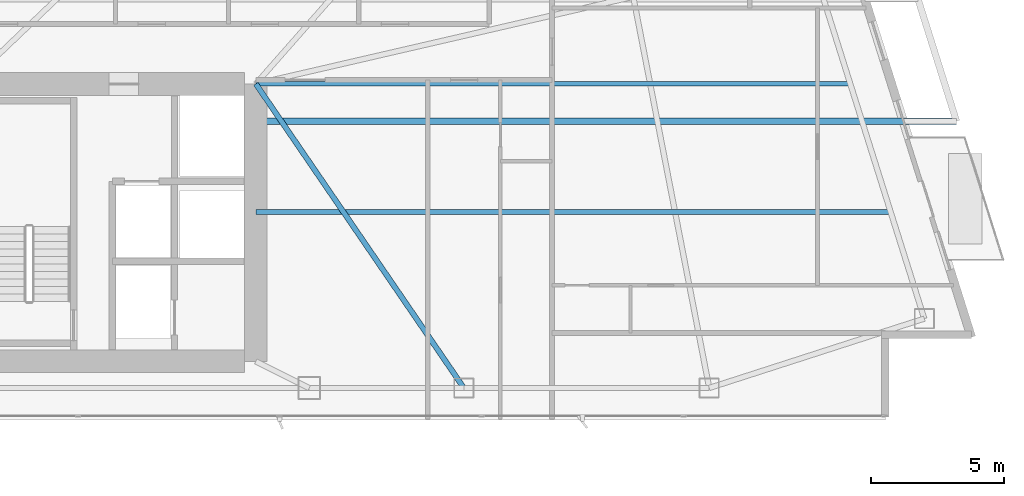
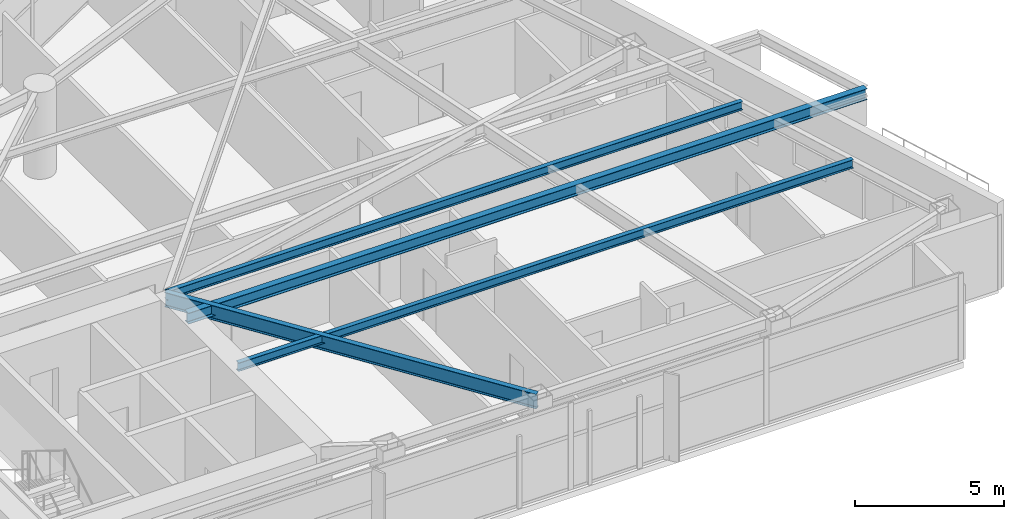
# One storey, part 13 of 29: 4 beams.
"""IFC4 building model written with IfcOpenShell, lengths in metres."""

from ifc_helpers import new_model, si_unit, direction, frame, origin, origin_2d, place, context, subcontext, project, spatial, i_section, extrude, material, material_profile, profile_set, type_object, element, save


model = new_model("IFC4")

# Units and contexts
model_context = context("Model", 3, precision=1e-05, world=origin(), true_north=direction((0.0, 1.0)))
body_context = subcontext(model_context, "Body", "Model", "MODEL_VIEW")
ifc_project = project(units=[si_unit("LENGTHUNIT", "METRE"), si_unit("AREAUNIT", "SQUARE_METRE"), si_unit("VOLUMEUNIT", "CUBIC_METRE"), si_unit("PLANEANGLEUNIT", "RADIAN"), si_unit("MASSUNIT", "GRAM", prefix="KILO")], contexts=[model_context])

# Site, building, storey
site_placement = place(None, origin())
site = spatial("IfcSite", under=ifc_project, at=site_placement, CompositionType="ELEMENT")
building_placement = place(site_placement, origin())
building = spatial("IfcBuilding", under=site, at=building_placement, Name="Calvorn Quay Hotel", CompositionType="ELEMENT")
storey_placement = place(building_placement, frame((0.0, 0.0, 148.5)))
storey = spatial("IfcBuildingStorey", under=building, at=storey_placement, Name="L36", CompositionType="ELEMENT", Elevation=148.5)

# Beams
ifc_material_1 = material(Name="Steel Q355B", Category="steel")
ifc_material_profile_1 = material_profile(ifc_material_1, i_section(OverallWidth=0.25, OverallDepth=0.449951171875, WebThickness=0.011962890625, FlangeThickness=0.01611328125, FilletRadius=0.01611328125, at=origin_2d()), Name="HN450x250x12x16")
ifc_profile_set_1 = profile_set([ifc_material_profile_1], Name="Steel Q355B")
beam_type_1 = type_object("IfcBeamType", Name="BM-CANT-BALC", PredefinedType="BEAM", material=ifc_profile_set_1)
beam_1_placement = place(storey_placement, frame((32.39990234375, 13.60009765625, 3.31494140625), z_axis=(1.0, 0.0, 0.0), x_axis=(0.0, 1.0, 0.0)))
element("IfcBeam", 1, at=beam_1_placement, inside=storey, type_object=beam_type_1, Name="Cantilever Balcony Beam BCB-L37-1A", PredefinedType="BEAM", context=body_context, shape_type="SweptSolid", body=[
    extrude(i_section(OverallWidth=0.25, OverallDepth=0.449951171875, WebThickness=0.011962890625, FlangeThickness=0.01611328125, FilletRadius=0.01611328125, at=origin_2d()), origin(), (0.0, 0.0, 1.0), 26.26904296875),
])
ifc_material_2 = material(Name="Steel Q355B", Category="steel")
ifc_material_profile_2 = material_profile(ifc_material_2, i_section(OverallWidth=0.199951171875, OverallDepth=0.60009765625, WebThickness=0.010986328125, FlangeThickness=0.01708984375, FilletRadius=0.01806640625, at=origin_2d()), Name="HN600x200x11x17")
ifc_profile_set_2 = profile_set([ifc_material_profile_2], Name="Steel Q355B")
beam_type_2 = type_object("IfcBeamType", Name="BM-GIRD-TYP", PredefinedType="BEAM", material=ifc_profile_set_2)
beam_2_placement = place(storey_placement, frame((40.199951171875, 3.60009765625, 3.239990234375), z_axis=(-0.564689618177, 0.825303359452, 0.0), x_axis=(-0.825303359452, -0.564689618177, 0.0)))
element("IfcBeam", 2, at=beam_2_placement, inside=storey, type_object=beam_type_2, Name="Beam BG-L36-E6", PredefinedType="BEAM", context=body_context, shape_type="SweptSolid", body=[
    extrude(i_section(OverallWidth=0.199951171875, OverallDepth=0.60009765625, WebThickness=0.010986328125, FlangeThickness=0.01708984375, FilletRadius=0.01806640625, at=origin_2d()), origin(), (0.0, 0.0, 1.0), 13.81298828125),
])
ifc_material_3 = material(Name="Steel Q355B", Category="steel")
ifc_material_profile_3 = material_profile(ifc_material_3, i_section(OverallWidth=0.175048828125, OverallDepth=0.35009765625, WebThickness=0.007080078125, FlangeThickness=0.010986328125, FilletRadius=0.013916015625, at=origin_2d()), Name="HN350x175x7x11")
ifc_profile_set_3 = profile_set([ifc_material_profile_3], Name="Steel Q355B")
beam_type_3 = type_object("IfcBeamType", Name="BM-JOIST-SEC", PredefinedType="JOIST", material=ifc_profile_set_3)
beam_3_placement = place(storey_placement, frame((32.39990234375, 10.199951171875, 3.364990234375), z_axis=(1.0, 0.0, 0.0), x_axis=(0.0, 1.0, 0.0)))
element("IfcBeam", 3, at=beam_3_placement, inside=storey, type_object=beam_type_3, Name="Beam BJ-L36-E1", PredefinedType="JOIST", context=body_context, shape_type="SweptSolid", body=[
    extrude(i_section(OverallWidth=0.175048828125, OverallDepth=0.35009765625, WebThickness=0.007080078125, FlangeThickness=0.010986328125, FilletRadius=0.013916015625, at=origin_2d()), origin(), (0.0, 0.0, 1.0), 23.801025390625),
])
beam_4_placement = place(storey_placement, frame((32.39990234375, 15.0, 3.364990234375), z_axis=(1.0, 0.0, 0.0), x_axis=(0.0, 1.0, 0.0)))
element("IfcBeam", 4, at=beam_4_placement, inside=storey, type_object=beam_type_3, Name="Beam BJ-L36-E2", PredefinedType="JOIST", context=body_context, shape_type="SweptSolid", body=[
    extrude(i_section(OverallWidth=0.175048828125, OverallDepth=0.35009765625, WebThickness=0.007080078125, FlangeThickness=0.010986328125, FilletRadius=0.013916015625, at=origin_2d()), origin(), (0.0, 0.0, 1.0), 22.2880859375),
])

save(model, "model.ifc")
